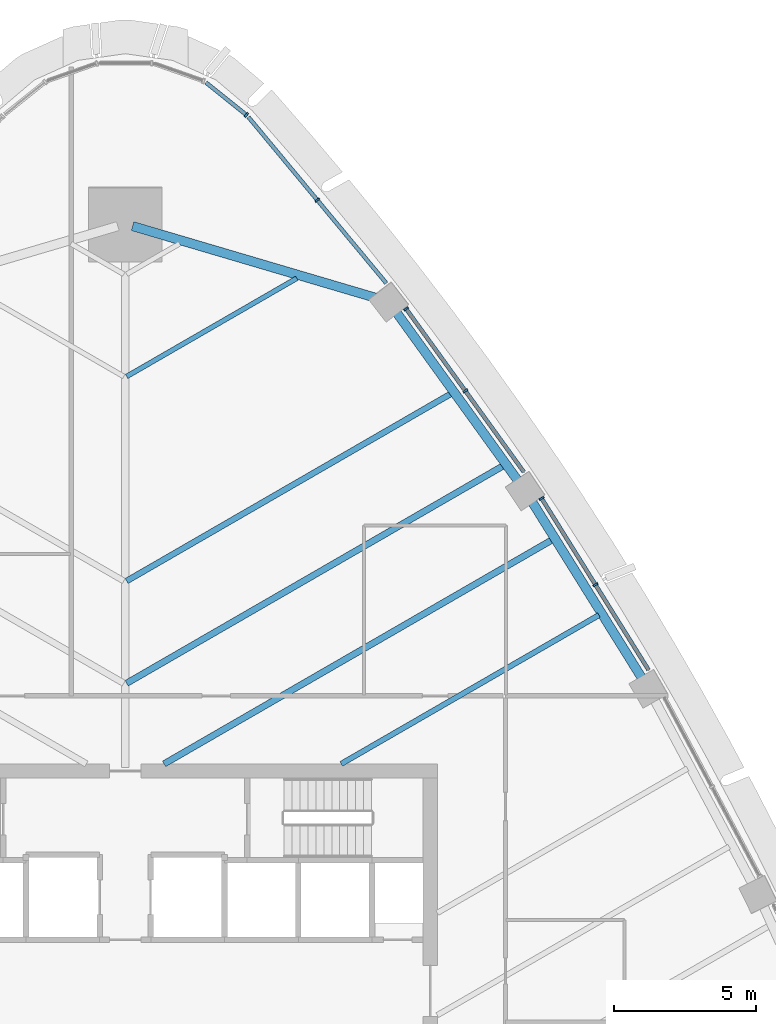
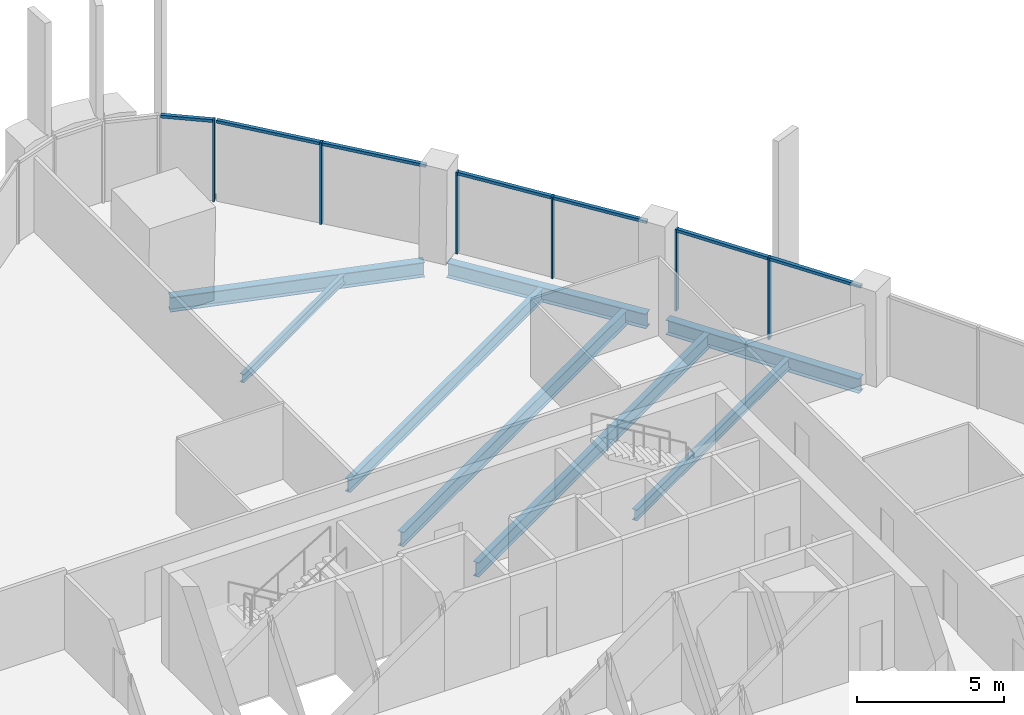
# One storey, part 7 of 19: 13 members, 8 beams, 4 elements without a shape of their own.
"""IFC4 building model written with IfcOpenShell, lengths in metres."""

from ifc_helpers import new_model, si_unit, direction, frame, origin, origin_2d, place, context, subcontext, project, spatial, rectangle, i_section, extrude, material, layer, layer_set, material_profile, profile_set, type_object, element, aggregate, save


model = new_model("IFC4")

# Units and contexts
model_context = context("Model", 3, precision=1e-05, world=origin(), true_north=direction((0.0, 1.0)))
body_context = subcontext(model_context, "Body", "Model", "MODEL_VIEW")
ifc_project = project(units=[si_unit("LENGTHUNIT", "METRE"), si_unit("AREAUNIT", "SQUARE_METRE"), si_unit("VOLUMEUNIT", "CUBIC_METRE"), si_unit("PLANEANGLEUNIT", "RADIAN"), si_unit("MASSUNIT", "GRAM", prefix="KILO")], contexts=[model_context])

# Site, building, storey
site_placement = place(None, origin())
site = spatial("IfcSite", under=ifc_project, at=site_placement, CompositionType="ELEMENT")
building_placement = place(site_placement, origin())
building = spatial("IfcBuilding", under=site, at=building_placement, Name="Sierra Prisma Convention Tower", CompositionType="ELEMENT")
storey_placement = place(building_placement, frame((0.0, 0.0, 185.800048828125)))
storey = spatial("IfcBuildingStorey", under=building, at=storey_placement, Name="L41", CompositionType="ELEMENT", Elevation=185.800048828125)

# Curtain wall, members
ifc_material_1 = material(Name="Aluminium and glass curtain wall", Category="aluminium")
ifc_layer = layer(ifc_material_1, 0.179931640625)
ifc_layer_set = layer_set([ifc_layer], Name="CW-1 Plain shaft curtain wall")
curtain_wall_type = type_object("IfcCurtainWallType", Name="CW-1 Plain shaft curtain wall", PredefinedType="NOTDEFINED", material=ifc_layer_set)
curtain_wall_1_placement = place(storey_placement, origin())
curtain_wall_1 = element("IfcCurtainWall", 1, at=curtain_wall_1_placement, inside=storey, type_object=curtain_wall_type, Name="CW-1 NE4 L41", PredefinedType="NOTDEFINED")
ifc_material_2 = material(Name="Aluminium 6063-T6 bronze anodised", Category="aluminium")
ifc_material_profile_1 = material_profile(ifc_material_2, rectangle(XDim=0.179931640625, YDim=0.070068359375, at=origin_2d()), Name="ALU MULLION 70x180")
ifc_profile_set_1 = profile_set([ifc_material_profile_1], Name="Aluminium 6063-T6 bronze anodised")
member_type_1 = type_object("IfcMemberType", Name="CW mullion bronze", PredefinedType="MULLION", material=ifc_profile_set_1)
member_1_placement = place(storey_placement, frame((16.572021484375, 14.318115234375, 0.0), z_axis=(0.0, 0.0, 1.0), x_axis=(-0.848621528952, -0.529000473155, 0.0)))
member_1 = element("IfcMember", 2, at=member_1_placement, type_object=member_type_1, Name="CW-1 mullion NE4.2", PredefinedType="MULLION", context=body_context, shape_type="SweptSolid", body=[
    extrude(rectangle(XDim=0.179931640625, YDim=0.070068359375, at=origin_2d()), origin(), (0.0, 0.0, 1.0), 3.39990234375),
])
member_2_placement = place(storey_placement, frame((14.677490234375, 17.357421875, 0.0), z_axis=(0.0, 0.0, 1.0), x_axis=(-0.848621528952, -0.529000473155, 0.0)))
member_2 = element("IfcMember", 3, at=member_2_placement, type_object=member_type_1, Name="CW-1 mullion NE4.3", PredefinedType="MULLION", context=body_context, shape_type="SweptSolid", body=[
    extrude(rectangle(XDim=0.179931640625, YDim=0.070068359375, at=origin_2d()), origin(), (0.0, 0.0, 1.0), 3.39990234375),
])

curtain_wall_2_placement = place(storey_placement, origin())
curtain_wall_2 = element("IfcCurtainWall", 4, at=curtain_wall_2_placement, inside=storey, type_object=curtain_wall_type, Name="CW-1 NE5 L41", PredefinedType="NOTDEFINED")
member_3_placement = place(storey_placement, frame((11.988037109375, 21.1474609375, 0.0), z_axis=(0.0, 0.0, 1.0), x_axis=(-0.810922527159, -0.585153531089, 0.0)))
member_3 = element("IfcMember", 5, at=member_3_placement, type_object=member_type_1, Name="CW-1 mullion NE5.2", PredefinedType="MULLION", context=body_context, shape_type="SweptSolid", body=[
    extrude(rectangle(XDim=0.179931640625, YDim=0.070068359375, at=origin_2d()), origin(), (0.0, 0.0, 1.0), 3.39990234375),
])
member_4_placement = place(storey_placement, frame((9.9013671875, 24.039306640625, 0.0), z_axis=(0.0, 0.0, 1.0), x_axis=(-0.810922527159, -0.585153531089, 0.0)))
member_4 = element("IfcMember", 6, at=member_4_placement, type_object=member_type_1, Name="CW-1 mullion NE5.3", PredefinedType="MULLION", context=body_context, shape_type="SweptSolid", body=[
    extrude(rectangle(XDim=0.179931640625, YDim=0.070068359375, at=origin_2d()), origin(), (0.0, 0.0, 1.0), 3.39990234375),
])

# Curtain wall, member
curtain_wall_3_placement = place(storey_placement, origin())
curtain_wall_3 = element("IfcCurtainWall", 7, at=curtain_wall_3_placement, inside=storey, type_object=curtain_wall_type, Name="CW-1 NE6 L41", PredefinedType="NOTDEFINED")
member_5_placement = place(storey_placement, frame((6.77099609375, 27.872314453125, 0.0), z_axis=(0.0, 0.0, 1.0), x_axis=(-0.769514057048, -0.638629874031, 0.0)))
member_5 = element("IfcMember", 8, at=member_5_placement, type_object=member_type_1, Name="CW-1 mullion NE6.2", PredefinedType="MULLION", context=body_context, shape_type="SweptSolid", body=[
    extrude(rectangle(XDim=0.179931640625, YDim=0.070068359375, at=origin_2d()), origin(), (0.0, 0.0, 1.0), 3.39990234375),
])

curtain_wall_4_placement = place(storey_placement, origin())
curtain_wall_4 = element("IfcCurtainWall", 9, at=curtain_wall_4_placement, inside=storey, type_object=curtain_wall_type, Name="CW-1 N1 L41", PredefinedType="NOTDEFINED")
member_6_placement = place(storey_placement, frame((4.270751953125, 30.8740234375, 0.0), z_axis=(0.0, 0.0, 1.0), x_axis=(-0.625213517277, -0.780453751234, 0.0)))
member_6 = element("IfcMember", 10, at=member_6_placement, type_object=member_type_1, Name="CW-1 mullion N1.1", PredefinedType="MULLION", context=body_context, shape_type="SweptSolid", body=[
    extrude(rectangle(XDim=0.179931640625, YDim=0.070068359375, at=origin_2d()), origin(), (0.0, 0.0, 1.0), 3.39990234375),
])

# Member
ifc_material_3 = material(Name="Aluminium 6063-T6 bronze anodised", Category="aluminium")
ifc_material_profile_2 = material_profile(ifc_material_3, rectangle(XDim=0.139892578125, YDim=0.1201171875, at=origin_2d()), Name="ALU TRANSOM 120x140")
ifc_profile_set_2 = profile_set([ifc_material_profile_2], Name="Aluminium 6063-T6 bronze anodised")
member_type_2 = type_object("IfcMemberType", Name="CW transom bronze", PredefinedType="USERDEFINED", material=ifc_profile_set_2)
member_7_placement = place(storey_placement, frame((18.447998046875, 11.30859375, 3.33984375), z_axis=(-0.529011177965, 0.848614855861, 0.0), x_axis=(-0.848614855861, -0.529011177965, 0.0)))
member_7 = element("IfcMember", 11, at=member_7_placement, type_object=member_type_2, Name="CW-1 transom NE4.1", ObjectType="TRANSOM", PredefinedType="USERDEFINED", context=body_context, shape_type="SweptSolid", body=[
    extrude(rectangle(XDim=0.139892578125, YDim=0.1201171875, at=origin_2d()), origin(), (0.0, 0.0, 1.0), 3.511474609375),
])

member_8_placement = place(storey_placement, frame((16.553466796875, 14.347900390625, 3.33984375), z_axis=(-0.529042390813, 0.848595397538, 0.0), x_axis=(-0.848595397538, -0.529042390813, 0.0)))
member_8 = element("IfcMember", 12, at=member_8_placement, type_object=member_type_2, Name="CW-1 transom NE4.2", ObjectType="TRANSOM", PredefinedType="USERDEFINED", context=body_context, shape_type="SweptSolid", body=[
    extrude(rectangle(XDim=0.139892578125, YDim=0.1201171875, at=origin_2d()), origin(), (0.0, 0.0, 1.0), 3.511474609375),
])

aggregate(curtain_wall_1, [member_1, member_2, member_7, member_8])

member_9_placement = place(storey_placement, frame((14.054443359375, 18.283935546875, 3.33984375), z_axis=(-0.585161618357, 0.810916691406, 0.0), x_axis=(-0.810916691406, -0.585161618357, 0.0)))
member_9 = element("IfcMember", 13, at=member_9_placement, type_object=member_type_2, Name="CW-1 transom NE5.1", ObjectType="TRANSOM", PredefinedType="USERDEFINED", context=body_context, shape_type="SweptSolid", body=[
    extrude(rectangle(XDim=0.139892578125, YDim=0.1201171875, at=origin_2d()), origin(), (0.0, 0.0, 1.0), 3.496337890625),
])

member_10_placement = place(storey_placement, frame((11.9677734375, 21.17578125, 3.33984375), z_axis=(-0.58519475451, 0.81089277916, 0.0), x_axis=(-0.81089277916, -0.58519475451, 0.0)))
member_10 = element("IfcMember", 14, at=member_10_placement, type_object=member_type_2, Name="CW-1 transom NE5.2", ObjectType="TRANSOM", PredefinedType="USERDEFINED", context=body_context, shape_type="SweptSolid", body=[
    extrude(rectangle(XDim=0.139892578125, YDim=0.1201171875, at=origin_2d()), origin(), (0.0, 0.0, 1.0), 3.49609375),
])

aggregate(curtain_wall_2, [member_3, member_4, member_9, member_10])

member_11_placement = place(storey_placement, frame((9.199462890625, 24.9462890625, 3.33984375), z_axis=(-0.638621460527, 0.769521039448, 0.0), x_axis=(-0.769521039448, -0.638621460527, 0.0)))
member_11 = element("IfcMember", 15, at=member_11_placement, type_object=member_type_2, Name="CW-1 transom NE6.1", ObjectType="TRANSOM", PredefinedType="USERDEFINED", context=body_context, shape_type="SweptSolid", body=[
    extrude(rectangle(XDim=0.139892578125, YDim=0.1201171875, at=origin_2d()), origin(), (0.0, 0.0, 1.0), 3.767578125),
])

member_12_placement = place(storey_placement, frame((6.748779296875, 27.899169921875, 3.33984375), z_axis=(-0.638621460527, 0.769521039448, 0.0), x_axis=(-0.769521039448, -0.638621460527, 0.0)))
member_12 = element("IfcMember", 16, at=member_12_placement, type_object=member_type_2, Name="CW-1 transom NE6.2", ObjectType="TRANSOM", PredefinedType="USERDEFINED", context=body_context, shape_type="SweptSolid", body=[
    extrude(rectangle(XDim=0.139892578125, YDim=0.1201171875, at=origin_2d()), origin(), (0.0, 0.0, 1.0), 3.767578125),
])

aggregate(curtain_wall_3, [member_5, member_11, member_12])

member_13_placement = place(storey_placement, frame((4.243408203125, 30.89599609375, 3.33984375), z_axis=(-0.780456773411, 0.625209744675, 0.0), x_axis=(-0.625209744675, -0.780456773411, 0.0)))
member_13 = element("IfcMember", 17, at=member_13_placement, type_object=member_type_2, Name="CW-1 transom N1.1", ObjectType="TRANSOM", PredefinedType="USERDEFINED", context=body_context, shape_type="SweptSolid", body=[
    extrude(rectangle(XDim=0.139892578125, YDim=0.1201171875, at=origin_2d()), origin(), (0.0, 0.0, 1.0), 1.792724609375),
])

aggregate(curtain_wall_4, [member_6, member_13])

# Beams
ifc_material_4 = material(Name="Steel ASTM A992 Gr 50", Category="steel")
ifc_material_profile_3 = material_profile(ifc_material_4, i_section(OverallWidth=0.172119140625, OverallDepth=0.35791015625, WebThickness=0.0078125, FlangeThickness=0.01318359375, at=origin_2d()), Name="W360x57")
ifc_profile_set_3 = profile_set([ifc_material_profile_3], Name="Steel ASTM A992 Gr 50")
beam_type_1 = type_object("IfcBeamType", Name="Floor joist W360x57", PredefinedType="JOIST", material=ifc_profile_set_3)
beam_1_placement = place(storey_placement, frame((6.047119140625, 25.117431640625, -0.3291015625), z_axis=(-0.866029983618, -0.499992067412, 0.0), x_axis=(0.499992067412, -0.866029983618, 0.0)))
element("IfcBeam", 18, at=beam_1_placement, inside=storey, type_object=beam_type_1, Name="Floor joist L41 NE14", PredefinedType="JOIST", context=body_context, shape_type="SweptSolid", body=[
    extrude(i_section(OverallWidth=0.172119140625, OverallDepth=0.35791015625, WebThickness=0.0078125, FlangeThickness=0.01318359375, at=origin_2d()), origin(), (0.0, 0.0, 1.0), 6.923828125),
])
ifc_material_5 = material(Name="Steel ASTM A992 Gr 50", Category="steel")
ifc_material_profile_4 = material_profile(ifc_material_5, i_section(OverallWidth=0.18994140625, OverallDepth=0.45703125, WebThickness=0.009033203125, FlangeThickness=0.014404296875, at=origin_2d()), Name="W460x74")
ifc_profile_set_4 = profile_set([ifc_material_profile_4], Name="Steel ASTM A992 Gr 50")
beam_type_2 = type_object("IfcBeamType", Name="Floor joist W460x74", PredefinedType="JOIST", material=ifc_profile_set_4)
beam_2_placement = place(storey_placement, frame((16.696533203125, 13.244140625, -0.378662109375), z_axis=(-0.866022777197, -0.500004549355, 0.0), x_axis=(0.500004549355, -0.866022777197, 0.0)))
element("IfcBeam", 19, at=beam_2_placement, inside=storey, type_object=beam_type_2, Name="Floor joist L41 NE09", PredefinedType="JOIST", context=body_context, shape_type="SweptSolid", body=[
    extrude(i_section(OverallWidth=0.18994140625, OverallDepth=0.45703125, WebThickness=0.009033203125, FlangeThickness=0.014404296875, at=origin_2d()), origin(), (0.0, 0.0, 1.0), 10.48828125),
])
ifc_material_6 = material(Name="Steel ASTM A992 Gr 50", Category="steel")
ifc_material_profile_5 = material_profile(ifc_material_6, i_section(OverallWidth=0.208984375, OverallDepth=0.532958984375, WebThickness=0.01025390625, FlangeThickness=0.015625, at=origin_2d()), Name="W530x92")
ifc_profile_set_5 = profile_set([ifc_material_profile_5], Name="Steel ASTM A992 Gr 50")
beam_type_3 = type_object("IfcBeamType", Name="Floor joist W530x92", PredefinedType="JOIST", material=ifc_profile_set_5)
beam_3_placement = place(storey_placement, frame((11.488037109375, 21.050048828125, -0.41650390625), z_axis=(-0.866026428882, -0.499998224475, 0.0), x_axis=(0.499998224475, -0.866026428882, 0.0)))
element("IfcBeam", 20, at=beam_3_placement, inside=storey, type_object=beam_type_3, Name="Floor joist L41 NE12", PredefinedType="JOIST", context=body_context, shape_type="SweptSolid", body=[
    extrude(i_section(OverallWidth=0.208984375, OverallDepth=0.532958984375, WebThickness=0.01025390625, FlangeThickness=0.015625, at=origin_2d()), origin(), (0.0, 0.0, 1.0), 13.20654296875),
])
ifc_material_7 = material(Name="Steel ASTM A992 Gr 50", Category="steel")
ifc_material_profile_6 = material_profile(ifc_material_7, i_section(OverallWidth=0.22802734375, OverallDepth=0.60302734375, WebThickness=0.010498046875, FlangeThickness=0.014892578125, at=origin_2d()), Name="W610x101")
ifc_profile_set_6 = profile_set([ifc_material_profile_6], Name="Steel ASTM A992 Gr 50")
beam_type_4 = type_object("IfcBeamType", Name="Floor joist W610x101", PredefinedType="JOIST", material=ifc_profile_set_6)
beam_4_placement = place(storey_placement, frame((15.04443359375, 15.89453125, -0.45166015625), z_axis=(-0.866026969698, -0.499997287748, 0.0), x_axis=(0.499997287748, -0.866026969698, 0.0)))
element("IfcBeam", 21, at=beam_4_placement, inside=storey, type_object=beam_type_4, Name="Floor joist L41 NE10", PredefinedType="JOIST", context=body_context, shape_type="SweptSolid", body=[
    extrude(i_section(OverallWidth=0.22802734375, OverallDepth=0.60302734375, WebThickness=0.010498046875, FlangeThickness=0.014892578125, at=origin_2d()), origin(), (0.0, 0.0, 1.0), 15.7890625),
])
beam_5_placement = place(storey_placement, frame((13.323974609375, 18.505615234375, -0.45166015625), z_axis=(-0.866024038652, -0.500002364472, 0.0), x_axis=(0.500002364472, -0.866024038652, 0.0)))
element("IfcBeam", 22, at=beam_5_placement, inside=storey, type_object=beam_type_4, Name="Floor joist L41 NE11", PredefinedType="JOIST", context=body_context, shape_type="SweptSolid", body=[
    extrude(i_section(OverallWidth=0.22802734375, OverallDepth=0.60302734375, WebThickness=0.010498046875, FlangeThickness=0.014892578125, at=origin_2d()), origin(), (0.0, 0.0, 1.0), 15.32666015625),
])
ifc_material_8 = material(Name="Steel ASTM A992 Gr 50", Category="steel")
ifc_material_profile_7 = material_profile(ifc_material_8, i_section(OverallWidth=0.324951171875, OverallDepth=0.615966796875, WebThickness=0.013916015625, FlangeThickness=0.021484375, at=origin_2d()), Name="W610x174")
ifc_profile_set_7 = profile_set([ifc_material_profile_7], Name="Steel ASTM A992 Gr 50")
beam_type_5 = type_object("IfcBeamType", Name="Spandrel beam W610x174", PredefinedType="BEAM", material=ifc_profile_set_7)
for number, where, z_axis, x_axis, name in (
    (23, (18.2451171875, 10.97265625, -0.4580078125), (-0.528983748252, 0.848631954433, 0.0), (-0.848631954433, -0.528983748252, 0.0), "Spandrel L41-10"),
    (24, (13.874755859375, 17.93505859375, -0.4580078125), (-0.585138035025, 0.810933708738, 0.0), (-0.810933708738, -0.585138035025, 0.0), "Spandrel L41-11"),
):
    element("IfcBeam", number, at=place(storey_placement, frame(where, z_axis=z_axis, x_axis=x_axis)), inside=storey, type_object=beam_type_5, Name=name, PredefinedType="BEAM", context=body_context, shape_type="SweptSolid", body=[
        extrude(i_section(OverallWidth=0.324951171875, OverallDepth=0.615966796875, WebThickness=0.013916015625, FlangeThickness=0.021484375, at=origin_2d()), origin(), (0.0, 0.0, 1.0), 7.460693359375),
    ])
beam_6_placement = place(storey_placement, frame((8.810302734375, 24.433837890625, -0.4580078125), z_axis=(-0.959147165835, 0.282907607306, 0.0), x_axis=(-0.282907607306, -0.959147165835, 0.0)))
element("IfcBeam", 25, at=beam_6_placement, inside=storey, type_object=beam_type_5, Name="Spandrel L41-12", PredefinedType="BEAM", context=body_context, shape_type="SweptSolid", body=[
    extrude(i_section(OverallWidth=0.324951171875, OverallDepth=0.615966796875, WebThickness=0.013916015625, FlangeThickness=0.021484375, at=origin_2d()), origin(), (0.0, 0.0, 1.0), 8.91455078125),
])

save(model, "model.ifc")
